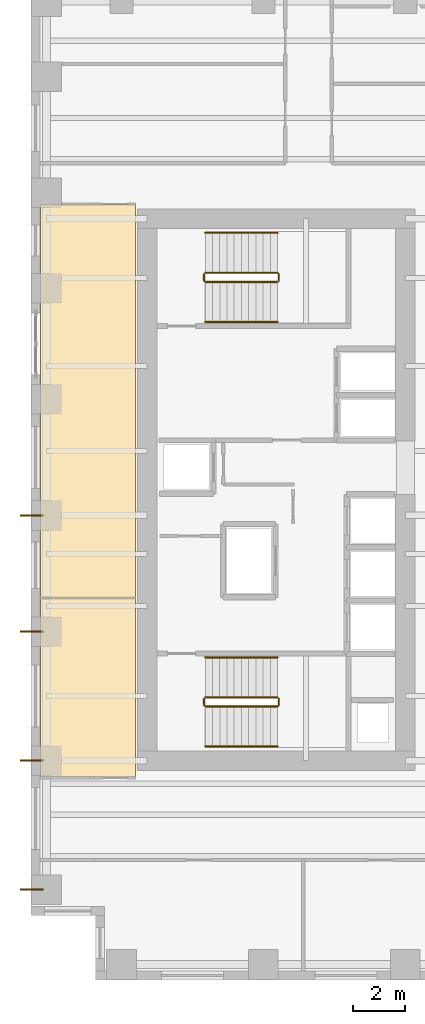
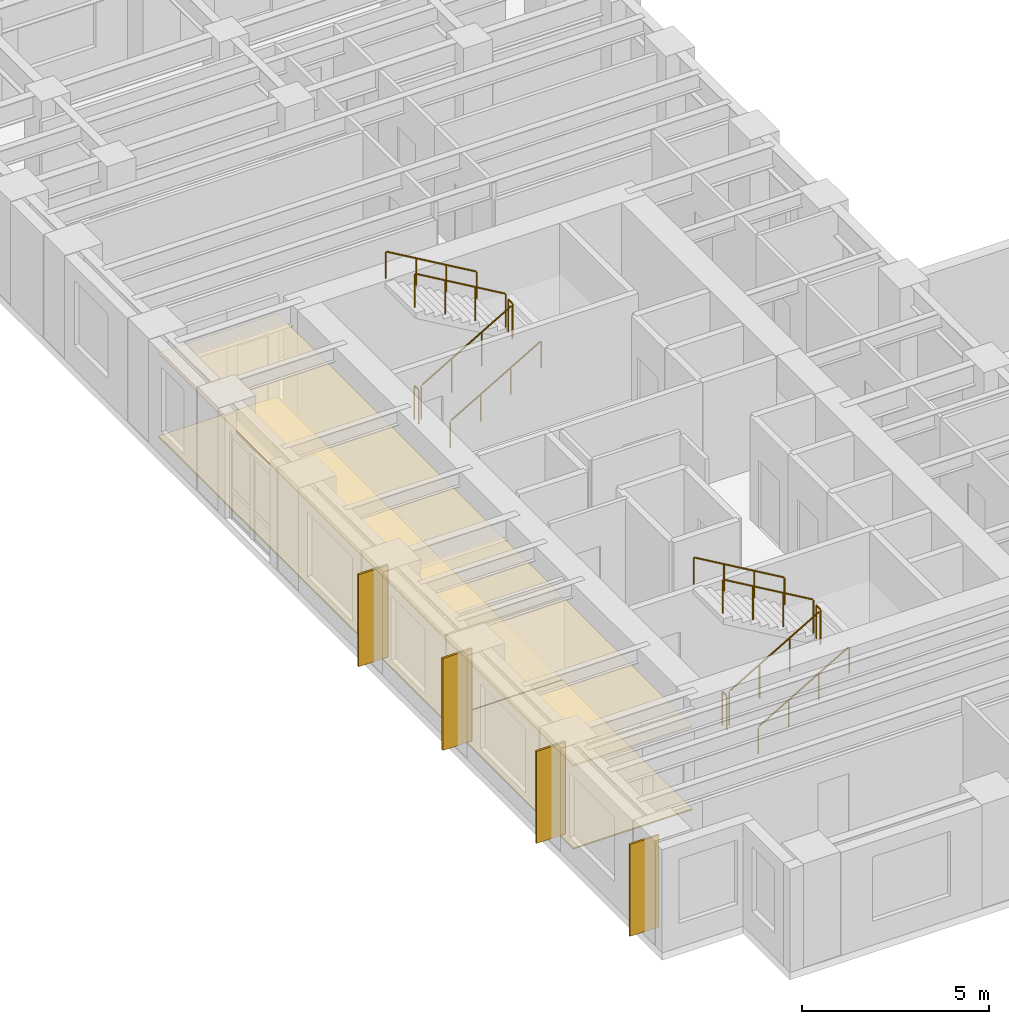
# One storey, part 11 of 13: 12 railings, 8 coverings.
"""IFC4 building model written with IfcOpenShell, lengths in metres."""

from ifc_helpers import new_model, si_unit, direction, frame, origin, origin_2d, place, context, subcontext, project, spatial, polyline, rectangle, circle, outline, extrude, source, transform, mapped, material, layer, layer_set, type_object, element, save


model = new_model("IFC4")

# Units and contexts
model_context = context("Model", 3, precision=1e-05, world=origin(), true_north=direction((0.0, 1.0)))
body_context = subcontext(model_context, "Body", "Model", "MODEL_VIEW")
ifc_project = project(units=[si_unit("LENGTHUNIT", "METRE"), si_unit("AREAUNIT", "SQUARE_METRE"), si_unit("VOLUMEUNIT", "CUBIC_METRE"), si_unit("PLANEANGLEUNIT", "RADIAN"), si_unit("MASSUNIT", "GRAM", prefix="KILO")], contexts=[model_context])

# Site, building, storey
site_placement = place(None, origin())
site = spatial("IfcSite", under=ifc_project, at=site_placement, CompositionType="ELEMENT")
building_placement = place(site_placement, origin())
building = spatial("IfcBuilding", under=site, at=building_placement, Name="Kharzan Plaza Tower", CompositionType="ELEMENT")
storey_placement = place(building_placement, frame((0.0, 0.0, 77.39990234375)))
storey = spatial("IfcBuildingStorey", under=building, at=storey_placement, Name="L20", CompositionType="ELEMENT", Elevation=77.39990234375)

# Coverings
ifc_material_1 = material(Name="Perforated Acoustic Mineral-Fibre Tile", Category="gypsum")
ifc_layer_1 = layer(ifc_material_1, 0.044921875)
ifc_layer_set_1 = layer_set([ifc_layer_1], Name="Perforated Acoustic Mineral-Fibre Tile")
covering_type_1 = type_object("IfcCoveringType", Name="COV-CEIL-ACT", PredefinedType="CEILING", material=ifc_layer_set_1)
covering_1_placement = place(storey_placement, frame((0.0, 0.0, 2.705078125)))
element("IfcCovering", 1, at=covering_1_placement, inside=storey, type_object=covering_type_1, Name="L20 Suspended Acoustic Ceiling RW1", PredefinedType="CEILING", context=body_context, shape_type="SweptSolid", body=[
    extrude(outline(polyline([(0.360107421875, 7.860107421875), (4.0400390625, 7.860107421875), (4.0400390625, 14.7900390625), (0.360107421875, 14.7900390625), (0.360107421875, 7.860107421875)])), origin(), (0.0, 0.0, 1.0), 0.044921875),
])
covering_2_placement = place(storey_placement, frame((0.0, 0.0, 2.705078125)))
element("IfcCovering", 2, at=covering_2_placement, inside=storey, type_object=covering_type_1, Name="L20 Suspended Acoustic Ceiling RW2", PredefinedType="CEILING", context=body_context, shape_type="SweptSolid", body=[
    extrude(outline(polyline([(0.360107421875, 14.81005859375), (4.0400390625, 14.81005859375), (4.0400390625, 30.0400390625), (0.360107421875, 30.0400390625), (0.360107421875, 14.81005859375)])), origin(), (0.0, 0.0, 1.0), 0.044921875),
])
ifc_material_2 = material(Name="Honed Najran Granite Terrazzo", Category="masonry")
ifc_layer_2 = layer(ifc_material_2, 0.0400390625)
ifc_layer_set_2 = layer_set([ifc_layer_2], Name="Honed Najran Granite Terrazzo")
covering_type_2 = type_object("IfcCoveringType", Name="COV-FLOOR-STN", PredefinedType="FLOORING", material=ifc_layer_set_2)
covering_3_placement = place(storey_placement, origin())
element("IfcCovering", 3, at=covering_3_placement, inside=storey, type_object=covering_type_2, Name="L20 Honed Granite Terrazzo Flooring RW1", PredefinedType="FLOORING", context=body_context, shape_type="SweptSolid", body=[
    extrude(outline(polyline([(0.360107421875, 7.860107421875), (4.0400390625, 7.860107421875), (4.0400390625, 14.7900390625), (0.360107421875, 14.7900390625), (0.360107421875, 7.860107421875)])), origin(), (0.0, 0.0, 1.0), 0.0400390625),
])
covering_4_placement = place(storey_placement, origin())
element("IfcCovering", 4, at=covering_4_placement, inside=storey, type_object=covering_type_2, Name="L20 Honed Granite Terrazzo Flooring RW2", PredefinedType="FLOORING", context=body_context, shape_type="SweptSolid", body=[
    extrude(outline(polyline([(0.360107421875, 14.81005859375), (4.0400390625, 14.81005859375), (4.0400390625, 30.0400390625), (0.360107421875, 30.0400390625), (0.360107421875, 14.81005859375)])), origin(), (0.0, 0.0, 1.0), 0.0400390625),
])

# Railings
ifc_material_3 = material(Name="Painted Galvanized Architectural Steel", Category="steel")
ifc_layer_3 = layer(ifc_material_3, 0.074951171875)
ifc_layer_set_3 = layer_set([ifc_layer_3], Name="Painted Galvanized Architectural Steel")
railing_type_1 = type_object("IfcRailingType", Name="RL-GUARD-1120", PredefinedType="BALUSTRADE", material=ifc_layer_set_3)
shared_shape_1 = source(origin(), body_context, "Body", "SweptSolid", [
    extrude(circle(Radius=0.02392578125, at=origin_2d()), frame((0.0, 0.0263671875, 1.09619140625), z_axis=(0.0, 1.0, 0.0), x_axis=(-1.0, 0.0, 0.0)), (0.0, 0.0, 1.0), 0.197021484375),
    extrude(circle(Radius=0.02099609375, at=origin_2d()), origin(), (0.0, 0.0, 1.0), 1.072021484375),
    extrude(circle(Radius=0.02099609375, at=origin_2d()), frame((0.0, 0.25, 0.0)), (0.0, 0.0, 1.0), 1.072021484375),
])
for number, where, name in (
    (5, (9.60009765625, 10.64990234375, 1.800048828125), "L20 ST-1 stair guard 2"),
    (6, (6.699951171875, 10.64990234375, 0.0), "L20 ST-1 stair guard 4"),
    (7, (9.60009765625, 27.10009765625, 1.800048828125), "L20 ST-2 stair guard 2"),
    (8, (6.699951171875, 27.10009765625, 0.0), "L20 ST-2 stair guard 4"),
):
    element("IfcRailing", number, at=place(storey_placement, frame(where)), inside=storey, type_object=railing_type_1, Name=name, PredefinedType="BALUSTRADE", context=body_context, shape_type="MappedRepresentation", body=[
        mapped(shared_shape_1, transform((0.0, 0.0, 0.0), x_axis=(1.0, 0.0, 0.0), y_axis=(0.0, 1.0, 0.0), z_axis=(0.0, 0.0, 1.0))),
    ])

# Coverings
ifc_material_4 = material(Name="Honed Riyadh Limestone", Category="masonry")
ifc_layer_4 = layer(ifc_material_4, 0.06005859375)
ifc_layer_set_4 = layer_set([ifc_layer_4], Name="Honed Riyadh Limestone")
covering_type_3 = type_object("IfcCoveringType", Name="COV-CLAD-STONE", PredefinedType="CLADDING", material=ifc_layer_set_4)
shared_shape_2 = source(origin(), body_context, "Body", "SweptSolid", [
    extrude(rectangle(XDim=0.06005859375, YDim=0.89990234375, at=origin_2d()), origin(), (0.0, 0.0, 1.0), 3.0),
])
for number, where, z_axis, x_axis, name in (
    (9, (0.02001953125, 13.5, 0.10009765625), (0.0, 0.0, 1.0), (0.0, 1.0, 0.0), "L20 Limestone Pier Rainscreen Cladding TCW-135"),
    (10, (0.02001953125, 18.0, 0.10009765625), (0.0, 0.0, 1.0), (0.0, 1.0, 0.0), "L20 Limestone Pier Rainscreen Cladding TCW-180"),
    (11, (0.02001953125, 3.5, 0.10009765625), (0.0, 0.0, 1.0), (0.0, 1.0, 0.0), "L20 Limestone Pier Rainscreen Cladding TCW-35"),
    (12, (0.02001953125, 8.5, 0.10009765625), (0.0, 0.0, 1.0), (0.0, 1.0, 0.0), "L20 Limestone Pier Rainscreen Cladding TCW-85"),
):
    element("IfcCovering", number, at=place(storey_placement, frame(where, z_axis=z_axis, x_axis=x_axis)), inside=storey, type_object=covering_type_3, Name=name, PredefinedType="CLADDING", context=body_context, shape_type="MappedRepresentation", body=[
        mapped(shared_shape_2, transform((0.0, 0.0, 0.0), x_axis=(1.0, 0.0, 0.0), y_axis=(0.0, 1.0, 0.0), z_axis=(0.0, 0.0, 1.0))),
    ])

# Railings
shared_shape_3 = source(origin(), body_context, "Body", "SweptSolid", [
    extrude(circle(Radius=0.02392578125, at=origin_2d()), frame((-0.02294921875, 0.0, 1.109375), z_axis=(-0.863360870873, 0.0, 0.504586966384), x_axis=(0.0, -1.0, 0.0)), (0.0, 0.0, 1.0), 3.190185546875),
    extrude(circle(Radius=0.02099609375, at=origin_2d()), origin(), (0.0, 0.0, 1.0), 1.072021484375),
    extrude(circle(Radius=0.02099609375, at=origin_2d()), frame((-0.933349609375, 0.0, 0.54541015625)), (0.0, 0.0, 1.0), 1.072021484375),
    extrude(circle(Radius=0.02099609375, at=origin_2d()), frame((-1.86669921875, 0.0, 1.091064453125)), (0.0, 0.0, 1.0), 1.072021484375),
    extrude(circle(Radius=0.02099609375, at=origin_2d()), frame((-2.800048828125, 0.0, 1.636474609375)), (0.0, 0.0, 1.0), 1.072021484375),
])
for number, where, name in (
    (13, (9.550048828125, 10.949951171875, 1.963623046875), "L20 ST-1 stair guard 3"),
    (14, (9.550048828125, 27.39990234375, 1.963623046875), "L20 ST-2 stair guard 3"),
):
    element("IfcRailing", number, at=place(storey_placement, frame(where)), inside=storey, type_object=railing_type_1, Name=name, PredefinedType="BALUSTRADE", context=body_context, shape_type="MappedRepresentation", body=[
        mapped(shared_shape_3, transform((0.0, 0.0, 0.0), x_axis=(1.0, 0.0, 0.0), y_axis=(0.0, 1.0, 0.0), z_axis=(0.0, 0.0, 1.0))),
    ])
ifc_material_5 = material(Name="Brushed Stainless Steel", Category="steel")
ifc_layer_5 = layer(ifc_material_5, 0.050048828125)
ifc_layer_set_5 = layer_set([ifc_layer_5], Name="Brushed Stainless Steel")
railing_type_2 = type_object("IfcRailingType", Name="RL-STAIR-HR920", PredefinedType="HANDRAIL", material=ifc_layer_set_5)
shared_shape_4 = source(origin(), body_context, "Body", "SweptSolid", [
    extrude(circle(Radius=0.02392578125, at=origin_2d()), frame((-0.02294921875, 0.0, 0.88916015625), z_axis=(-0.863360870873, 0.0, 0.504586966384), x_axis=(0.0, -1.0, 0.0)), (0.0, 0.0, 1.0), 3.190185546875),
    extrude(circle(Radius=0.02099609375, at=origin_2d()), origin(), (0.0, 0.0, 1.0), 0.851806640625),
    extrude(circle(Radius=0.02099609375, at=origin_2d()), frame((-0.933349609375, 0.0, 0.54541015625)), (0.0, 0.0, 1.0), 0.851806640625),
    extrude(circle(Radius=0.02099609375, at=origin_2d()), frame((-1.86669921875, 0.0, 1.091064453125)), (0.0, 0.0, 1.0), 0.851806640625),
    extrude(circle(Radius=0.02099609375, at=origin_2d()), frame((-2.800048828125, 0.0, 1.636474609375)), (0.0, 0.0, 1.0), 0.851806640625),
])
for number, where, name in (
    (15, (9.550048828125, 12.5, 1.963623046875), "L20 ST-1 stair handrail 2"),
    (16, (9.550048828125, 28.949951171875, 1.963623046875), "L20 ST-2 stair handrail 2"),
):
    element("IfcRailing", number, at=place(storey_placement, frame(where)), inside=storey, type_object=railing_type_2, Name=name, PredefinedType="HANDRAIL", context=body_context, shape_type="MappedRepresentation", body=[
        mapped(shared_shape_4, transform((0.0, 0.0, 0.0), x_axis=(1.0, 0.0, 0.0), y_axis=(0.0, 1.0, 0.0), z_axis=(0.0, 0.0, 1.0))),
    ])
shared_shape_5 = source(origin(), body_context, "Body", "SweptSolid", [
    extrude(circle(Radius=0.02392578125, at=origin_2d()), frame((0.02294921875, 0.0, 1.109375), z_axis=(0.863393664356, 0.0, 0.504530851732), x_axis=(0.0, 1.0, 0.0)), (0.0, 0.0, 1.0), 3.190185546875),
    extrude(circle(Radius=0.02099609375, at=origin_2d()), origin(), (0.0, 0.0, 1.0), 1.072021484375),
    extrude(circle(Radius=0.02099609375, at=origin_2d()), frame((0.933349609375, 0.0, 0.54541015625)), (0.0, 0.0, 1.0), 1.072021484375),
    extrude(circle(Radius=0.02099609375, at=origin_2d()), frame((1.86669921875, 0.0, 1.0908203125)), (0.0, 0.0, 1.0), 1.072021484375),
    extrude(circle(Radius=0.02099609375, at=origin_2d()), frame((2.800048828125, 0.0, 1.63623046875)), (0.0, 0.0, 1.0), 1.072021484375),
])
for number, where, name in (
    (17, (6.75, 10.60009765625, 0.163818359375), "L20 ST-1 stair guard 1"),
    (18, (6.75, 27.050048828125, 0.163818359375), "L20 ST-2 stair guard 1"),
):
    element("IfcRailing", number, at=place(storey_placement, frame(where)), inside=storey, type_object=railing_type_1, Name=name, PredefinedType="BALUSTRADE", context=body_context, shape_type="MappedRepresentation", body=[
        mapped(shared_shape_5, transform((0.0, 0.0, 0.0), x_axis=(1.0, 0.0, 0.0), y_axis=(0.0, 1.0, 0.0), z_axis=(0.0, 0.0, 1.0))),
    ])
shared_shape_6 = source(origin(), body_context, "Body", "SweptSolid", [
    extrude(circle(Radius=0.02392578125, at=origin_2d()), frame((0.02294921875, 0.0, 0.88916015625), z_axis=(0.863393664356, 0.0, 0.504530851732), x_axis=(0.0, 1.0, 0.0)), (0.0, 0.0, 1.0), 3.190185546875),
    extrude(circle(Radius=0.02099609375, at=origin_2d()), origin(), (0.0, 0.0, 1.0), 0.851806640625),
    extrude(circle(Radius=0.02099609375, at=origin_2d()), frame((0.933349609375, 0.0, 0.54541015625)), (0.0, 0.0, 1.0), 0.851806640625),
    extrude(circle(Radius=0.02099609375, at=origin_2d()), frame((1.86669921875, 0.0, 1.0908203125)), (0.0, 0.0, 1.0), 0.851806640625),
    extrude(circle(Radius=0.02099609375, at=origin_2d()), frame((2.800048828125, 0.0, 1.63623046875)), (0.0, 0.0, 1.0), 0.851806640625),
])
for number, where, name in (
    (19, (6.75, 9.050048828125, 0.163818359375), "L20 ST-1 stair handrail 1"),
    (20, (6.75, 25.5, 0.163818359375), "L20 ST-2 stair handrail 1"),
):
    element("IfcRailing", number, at=place(storey_placement, frame(where)), inside=storey, type_object=railing_type_2, Name=name, PredefinedType="HANDRAIL", context=body_context, shape_type="MappedRepresentation", body=[
        mapped(shared_shape_6, transform((0.0, 0.0, 0.0), x_axis=(1.0, 0.0, 0.0), y_axis=(0.0, 1.0, 0.0), z_axis=(0.0, 0.0, 1.0))),
    ])

save(model, "model.ifc")
